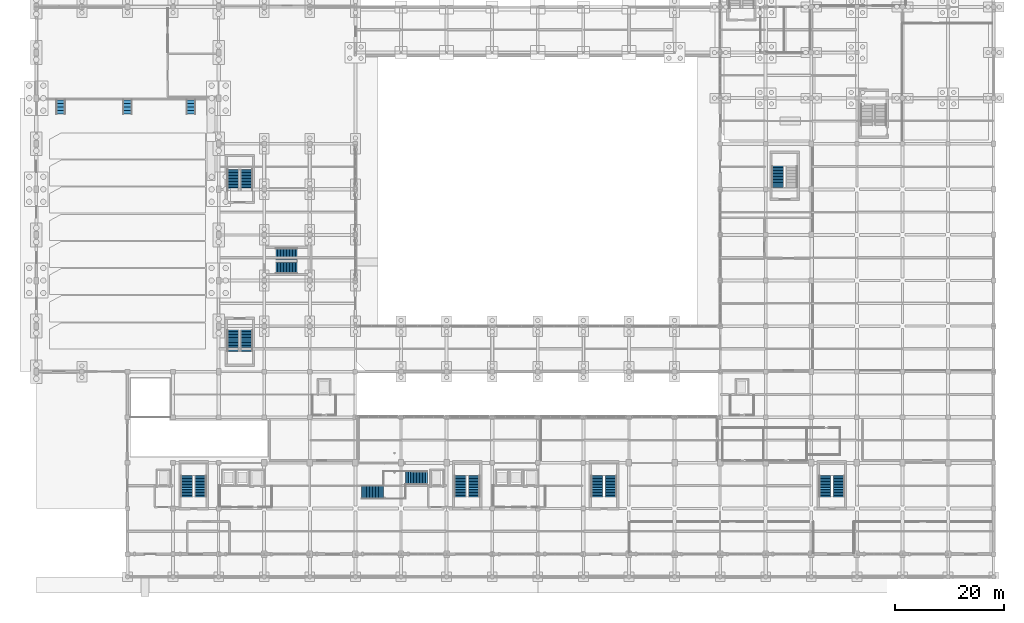
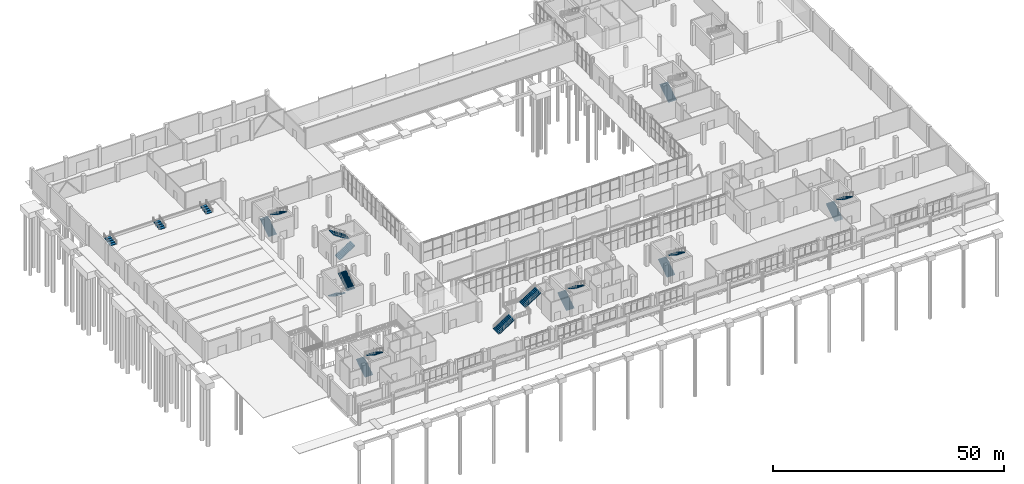
# One storey, part 74 of 82: 20 stair flights, 12 elements without a shape of their own.
"""IFC4 building model written with IfcOpenShell, lengths in metres."""

import ifcopenshell
import ifcopenshell.guid

model = None  # the IFC model being written
_history = None  # IfcOwnerHistory: only IFC2X3 demands one
_inside = {}  # id of a spatial element -> (the spatial element, [elements in it])
_under = {}  # id of a project, library or spatial element -> (it, [spatial elements below it])
_declared = {}  # id of a project -> (the project, [libraries it declares])
_typed = {}  # id of a type object -> (the type object, [elements of that type])
_made_of = {}  # id of a material, layer set ... -> (it, [elements and type objects made of it])


def new_model(schema):
    """Start an empty IFC model of exactly this schema.

    Asked for "IFC4X3", IfcOpenShell would pick the latest addendum, in which some entities
    have other attributes; the version numbers below select the first issue.
    IFC2X3 requires an IfcOwnerHistory on every rooted entity: one is made here for all.
    """
    global model, _history
    if schema == "IFC4X3":
        model = ifcopenshell.file(schema_version=(4, 3, 0, 0))
    else:
        model = ifcopenshell.file(schema=schema)
    _inside.clear()
    _under.clear()
    _declared.clear()
    _typed.clear()
    _made_of.clear()
    _history = None
    if model.schema == "IFC2X3":
        org = make("IfcOrganization", Name="unknown")
        user = make(
            "IfcPersonAndOrganization",
            ThePerson=make("IfcPerson", FamilyName="unknown"),
            TheOrganization=org,
        )
        app = make(
            "IfcApplication",
            ApplicationDeveloper=org,
            Version="unknown",
            ApplicationFullName="unknown",
            ApplicationIdentifier="unknown",
        )
        _history = make(
            "IfcOwnerHistory",
            OwningUser=user,
            OwningApplication=app,
            ChangeAction="ADDED",
            CreationDate=0,
        )
    return model


def make(cls, **values):
    """One entity of the class cls with the attributes given. An attribute that is None is left unset."""
    return model.create_entity(
        cls, **{name: value for name, value in values.items() if value is not None}
    )


def rooted(cls, **values):
    """An entity with a GlobalId (a new one), such as an element, a storey or a relation."""
    return make(cls, GlobalId=ifcopenshell.guid.new(), OwnerHistory=_history, **values)


def si_unit(unit_type, name, prefix=None):
    """IfcSIUnit, for example si_unit("LENGTHUNIT", "METRE", prefix="MILLI")."""
    return make("IfcSIUnit", UnitType=unit_type, Prefix=prefix, Name=name)


def derived_unit(unit_type, elements):
    """IfcDerivedUnit: a product of units, each with its exponent."""
    return make(
        "IfcDerivedUnit",
        Elements=[
            make("IfcDerivedUnitElement", Unit=unit, Exponent=power)
            for unit, power in elements
        ],
        UnitType=unit_type,
    )


def assignment(units):
    """IfcUnitAssignment: the units of a project."""
    return None if units is None else make("IfcUnitAssignment", Units=units)


def point(xyz):
    """IfcCartesianPoint."""
    return None if xyz is None else make("IfcCartesianPoint", Coordinates=xyz)


def direction(xyz):
    """IfcDirection."""
    return None if xyz is None else make("IfcDirection", DirectionRatios=xyz)


def frame(location, z_axis=None, x_axis=None):
    """IfcAxis2Placement3D, a coordinate frame: its origin and axes. An axis left out is left unset."""
    return make(
        "IfcAxis2Placement3D",
        Location=point(location),
        Axis=direction(z_axis),
        RefDirection=direction(x_axis),
    )


def origin():
    """The frame at (0, 0, 0) with its axes left unset."""
    return frame((0.0, 0.0, 0.0))


def place(relative_to, where):
    """IfcLocalPlacement: puts the frame where relative to a parent placement (None: the world)."""
    return make(
        "IfcLocalPlacement", PlacementRelTo=relative_to, RelativePlacement=where
    )


def context(
    kind, dimensions, precision=None, world=None, true_north=None, identifier=None
):
    """IfcGeometricRepresentationContext, for example the 3D "Model" context."""
    return make(
        "IfcGeometricRepresentationContext",
        ContextIdentifier=identifier,
        ContextType=kind,
        CoordinateSpaceDimension=dimensions,
        Precision=precision,
        WorldCoordinateSystem=world,
        TrueNorth=true_north,
    )


def subcontext(parent, identifier, kind, view, scale=None):
    """IfcGeometricRepresentationSubContext, for example "Body" below "Model"."""
    return make(
        "IfcGeometricRepresentationSubContext",
        ContextIdentifier=identifier,
        ContextType=kind,
        ParentContext=parent,
        TargetScale=scale,
        TargetView=view,
    )


def project(units=None, contexts=None):
    """IfcProject with its units and contexts."""
    return rooted(
        "IfcProject",
        Name="project",
        RepresentationContexts=contexts,
        UnitsInContext=assignment(units),
    )


def spatial(cls, under=None, at=None, **own):
    """A site, building, storey or space (cls), placed at a placement, below another one or the project."""
    s = rooted(cls, ObjectPlacement=at, **own)
    if under is not None:
        _under.setdefault(under.id(), (under, []))[1].append(s)
    return s


def polyline(points):
    """IfcPolyline through the points."""
    return make("IfcPolyline", Points=[point(p) for p in points])


def outline(outer, holes=None, kind="AREA"):
    """IfcArbitraryClosedProfileDef: a profile drawn as a closed curve; with holes, ...WithVoids."""
    if holes is None:
        return make("IfcArbitraryClosedProfileDef", ProfileType=kind, OuterCurve=outer)
    return make(
        "IfcArbitraryProfileDefWithVoids",
        ProfileType=kind,
        OuterCurve=outer,
        InnerCurves=holes,
    )


def extrude(swept, where, along, depth):
    """IfcExtrudedAreaSolid: the profile swept, set in the frame where, extruded along a direction by depth."""
    return make(
        "IfcExtrudedAreaSolid",
        SweptArea=swept,
        Position=where,
        ExtrudedDirection=direction(along),
        Depth=depth,
    )


def shape(context_of_items, identifier, shape_type, items):
    """IfcShapeRepresentation: the items that make up one representation, for example the "Body"."""
    return make(
        "IfcShapeRepresentation",
        ContextOfItems=context_of_items,
        RepresentationIdentifier=identifier,
        RepresentationType=shape_type,
        Items=items,
    )


def material(Name=None, Category=None):
    """IfcMaterial."""
    return make("IfcMaterial", Name=Name, Category=Category)


def made_of(thing, what):
    """Note that an element or type object is made of a material, layer set ...; save() writes the relation."""
    if what is not None:
        _made_of.setdefault(what.id(), (what, []))[1].append(thing)
    return thing


def type_object(cls, material=None, **own):
    """A type object (cls), such as IfcWallType, which elements share."""
    return made_of(rooted(cls, **own), material)


def element(
    cls,
    number,
    at=None,
    inside=None,
    cuts=None,
    type_object=None,
    material=None,
    context=None,
    identifier="Body",
    shape_type=None,
    held_by="IfcProductDefinitionShape",
    body=None,
    shapes=None,
    **own,
):
    """One element of the class cls, such as IfcWall. Its Tag is "e" and its number.

    at: its placement. inside: the storey or other place that contains it. cuts: it is an
    opening in that element (IfcRelVoidsElement). A single representation is given by context,
    identifier, shape_type and body (its items); several are given by shapes. held_by: the class
    of the entity that holds the representations. save() writes the other relations.
    """
    e = rooted(cls, Tag="e%d" % number, ObjectPlacement=at, **own)
    if body is not None:
        shapes = [shape(context, identifier, shape_type, body)]
    if shapes is not None:
        e.Representation = make(held_by, Representations=shapes)
    if inside is not None:
        _inside.setdefault(inside.id(), (inside, []))[1].append(e)
    if cuts is not None:
        rooted(
            "IfcRelVoidsElement", RelatingBuildingElement=cuts, RelatedOpeningElement=e
        )
    if type_object is not None:
        _typed.setdefault(type_object.id(), (type_object, []))[1].append(e)
    return made_of(e, material)


def aggregate(whole, parts):
    """IfcRelAggregates: a whole, such as a stair, and the parts it consists of."""
    return rooted("IfcRelAggregates", RelatingObject=whole, RelatedObjects=parts)


def save(model, path):
    """Write the relations noted so far, then the file.

    IfcRelAggregates (storeys below a building ...), IfcRelContainedInSpatialStructure (elements
    in a storey), IfcRelDefinesByType, IfcRelAssociatesMaterial and IfcRelDeclares: one each for
    every whole, place, type object, material and project.
    """
    for whole, parts in _under.values():
        aggregate(whole, parts)
    for where, things in _inside.values():
        rooted(
            "IfcRelContainedInSpatialStructure",
            RelatedElements=things,
            RelatingStructure=where,
        )
    for kind, things in _typed.values():
        rooted("IfcRelDefinesByType", RelatedObjects=things, RelatingType=kind)
    for what, things in _made_of.values():
        rooted("IfcRelAssociatesMaterial", RelatedObjects=things, RelatingMaterial=what)
    for by, libraries in _declared.values():
        rooted("IfcRelDeclares", RelatingContext=by, RelatedDefinitions=libraries)
    model.write(path)


model = new_model("IFC4")

# Units and contexts
model_context = context("Model", 3, precision=1e-05, world=origin(), true_north=direction((0.0, 1.0)))
body_context = subcontext(model_context, "Body", "Model", "MODEL_VIEW")
ifc_project = project(units=[si_unit("LENGTHUNIT", "METRE"), si_unit("AREAUNIT", "SQUARE_METRE"), si_unit("VOLUMEUNIT", "CUBIC_METRE"), si_unit("PLANEANGLEUNIT", "RADIAN"), si_unit("MASSUNIT", "GRAM", prefix="KILO"), derived_unit("THERMALTRANSMITTANCEUNIT", [(si_unit("POWERUNIT", "WATT"), 1), (si_unit("LENGTHUNIT", "METRE"), -2), (si_unit("THERMODYNAMICTEMPERATUREUNIT", "KELVIN"), -1)])], contexts=[model_context])

# Site, building, storey
site_placement = place(None, origin())
site = spatial("IfcSite", under=ifc_project, at=site_placement, CompositionType="ELEMENT")
building_placement = place(site_placement, origin())
building = spatial("IfcBuilding", under=site, at=building_placement, Name="Barrovel Congress Hotel", CompositionType="ELEMENT")
storey_placement = place(building_placement, origin())
storey = spatial("IfcBuildingStorey", under=building, at=storey_placement, Name="L00", CompositionType="ELEMENT", Elevation=0.0)

# Stair, stair flight
ifc_material = material(Name="Concrete C40", Category="concrete")
stair_type_1 = type_object("IfcStairType", Name="STR-SR-080", PredefinedType="STRAIGHT_RUN_STAIR", material=ifc_material)
stair_1_placement = place(storey_placement, origin())
stair_1 = element("IfcStair", 1, at=stair_1_placement, inside=storey, type_object=stair_type_1, Name="Congress Stage Stair 1", PredefinedType="STRAIGHT_RUN_STAIR")
stair_flight_type_1 = type_object("IfcStairFlightType", Name="SFL-180x080", PredefinedType="STRAIGHT", material=ifc_material)
stair_flight_1_placement = place(storey_placement, frame((4.5, 85.300048828125, 0.0), z_axis=(0.0, 0.0, 1.0), x_axis=(0.0, 1.0, 0.0)))
stair_flight_1 = element("IfcStairFlight", 2, at=stair_flight_1_placement, type_object=stair_flight_type_1, Name="STAIR:STG-1:F1", NumberOfRisers=5, NumberOfTreads=4, PredefinedType="STRAIGHT", RiserHeight=0.16, TreadLength=0.65, context=body_context, shape_type="SweptSolid", body=[
    extrude(outline(polyline([(0.0, 0.0), (0.0, 0.159912109375), (0.64990234375, 0.159912109375), (0.64990234375, 0.320068359375), (1.300048828125, 0.320068359375), (1.300048828125, 0.47998046875), (1.949951171875, 0.47998046875), (1.949951171875, 0.639892578125), (2.60009765625, 0.639892578125), (2.60009765625, 0.800048828125), (2.60009765625, 0.45458984375), (0.752685546875, 0.0), (0.0, 0.0)])), frame((0.0, 0.719970703125, 0.0), z_axis=(0.0, -1.0, 0.0), x_axis=(1.0, 0.0, 0.0)), (0.0, 0.0, 1.0), 1.43994140625),
])
aggregate(stair_1, [stair_flight_1])

stair_2_placement = place(storey_placement, origin())
stair_2 = element("IfcStair", 3, at=stair_2_placement, inside=storey, type_object=stair_type_1, Name="Congress Stage Stair 2", PredefinedType="STRAIGHT_RUN_STAIR")
stair_flight_2_placement = place(storey_placement, frame((16.800048828125, 85.300048828125, 0.0), z_axis=(0.0, 0.0, 1.0), x_axis=(0.0, 1.0, 0.0)))
stair_flight_2 = element("IfcStairFlight", 4, at=stair_flight_2_placement, type_object=stair_flight_type_1, Name="STAIR:STG-2:F1", NumberOfRisers=5, NumberOfTreads=4, PredefinedType="STRAIGHT", RiserHeight=0.16, TreadLength=0.65, context=body_context, shape_type="SweptSolid", body=[
    extrude(outline(polyline([(0.0, 0.0), (0.0, 0.159912109375), (0.64990234375, 0.159912109375), (0.64990234375, 0.320068359375), (1.300048828125, 0.320068359375), (1.300048828125, 0.47998046875), (1.949951171875, 0.47998046875), (1.949951171875, 0.639892578125), (2.60009765625, 0.639892578125), (2.60009765625, 0.800048828125), (2.60009765625, 0.45458984375), (0.752685546875, 0.0), (0.0, 0.0)])), frame((0.0, 0.719970703125, 0.0), z_axis=(0.0, -1.0, 0.0), x_axis=(1.0, 0.0, 0.0)), (0.0, 0.0, 1.0), 1.43994140625),
])
aggregate(stair_2, [stair_flight_2])

stair_3_placement = place(storey_placement, origin())
stair_3 = element("IfcStair", 5, at=stair_3_placement, inside=storey, type_object=stair_type_1, Name="Congress Stage Stair 3", PredefinedType="STRAIGHT_RUN_STAIR")
stair_flight_3_placement = place(storey_placement, frame((28.5, 85.300048828125, 0.0), z_axis=(0.0, 0.0, 1.0), x_axis=(0.0, 1.0, 0.0)))
stair_flight_3 = element("IfcStairFlight", 6, at=stair_flight_3_placement, type_object=stair_flight_type_1, Name="STAIR:STG-3:F1", NumberOfRisers=5, NumberOfTreads=4, PredefinedType="STRAIGHT", RiserHeight=0.16, TreadLength=0.65, context=body_context, shape_type="SweptSolid", body=[
    extrude(outline(polyline([(0.0, 0.0), (0.0, 0.159912109375), (0.64990234375, 0.159912109375), (0.64990234375, 0.320068359375), (1.300048828125, 0.320068359375), (1.300048828125, 0.47998046875), (1.949951171875, 0.47998046875), (1.949951171875, 0.639892578125), (2.60009765625, 0.639892578125), (2.60009765625, 0.800048828125), (2.60009765625, 0.45458984375), (0.752685546875, 0.0), (0.0, 0.0)])), frame((0.0, 0.719970703125, 0.0), z_axis=(0.0, -1.0, 0.0), x_axis=(1.0, 0.0, 0.0)), (0.0, 0.0, 1.0), 1.43994140625),
])
aggregate(stair_3, [stair_flight_3])

# Stair, stair flights
stair_type_2 = type_object("IfcStairType", Name="STR-2Q-540", PredefinedType="TWO_QUARTER_TURN_STAIR", material=ifc_material)
stair_4_placement = place(storey_placement, origin())
stair_4 = element("IfcStair", 7, at=stair_4_placement, inside=storey, type_object=stair_type_2, Name="Exit Stair XS-01 (L00)", PredefinedType="TWO_QUARTER_TURN_STAIR")
stair_flight_type_2 = type_object("IfcStairFlightType", Name="SFL-200x270", PredefinedType="STRAIGHT", material=ifc_material)
stair_flight_4_placement = place(storey_placement, frame((27.760009765625, 14.739990234375, 0.0), z_axis=(0.0, 0.0, 1.0), x_axis=(0.0, 1.0, 0.0)))
stair_flight_4 = element("IfcStairFlight", 8, at=stair_flight_4_placement, type_object=stair_flight_type_2, Name="STAIR:XS-01:L00:F1", NumberOfRisers=15, NumberOfTreads=14, PredefinedType="STRAIGHT", RiserHeight=0.18, TreadLength=0.28, context=body_context, shape_type="SweptSolid", body=[
    extrude(outline(polyline([(0.0, 0.0), (0.0, 0.179931640625), (0.280029296875, 0.179931640625), (0.280029296875, 0.360107421875), (0.56005859375, 0.360107421875), (0.56005859375, 0.5400390625), (0.840087890625, 0.5400390625), (0.840087890625, 0.719970703125), (1.1201171875, 0.719970703125), (1.1201171875, 0.89990234375), (1.39990234375, 0.89990234375), (1.39990234375, 1.080078125), (1.679931640625, 1.080078125), (1.679931640625, 1.260009765625), (1.9599609375, 1.260009765625), (1.9599609375, 1.43994140625), (2.239990234375, 1.43994140625), (2.239990234375, 1.6201171875), (2.52001953125, 1.6201171875), (2.52001953125, 1.800048828125), (2.800048828125, 1.800048828125), (2.800048828125, 1.97998046875), (3.080078125, 1.97998046875), (3.080078125, 2.159912109375), (3.360107421875, 2.159912109375), (3.360107421875, 2.340087890625), (3.639892578125, 2.340087890625), (3.639892578125, 2.52001953125), (3.919921875, 2.52001953125), (3.919921875, 2.699951171875), (3.919921875, 2.30615234375), (0.332763671875, 0.0), (0.0, 0.0)])), frame((0.0, 1.0, 0.0), z_axis=(0.0, -1.0, 0.0), x_axis=(1.0, 0.0, 0.0)), (0.0, 0.0, 1.0), 2.0),
])
stair_flight_5_placement = place(storey_placement, frame((30.239990234375, 18.659912109375, 2.699951171875), z_axis=(0.0, 0.0, 1.0), x_axis=(0.0, -1.0, 0.0)))
stair_flight_5 = element("IfcStairFlight", 9, at=stair_flight_5_placement, type_object=stair_flight_type_2, Name="STAIR:XS-01:L00:F2", NumberOfRisers=15, NumberOfTreads=14, PredefinedType="STRAIGHT", RiserHeight=0.18, TreadLength=0.28, context=body_context, shape_type="SweptSolid", body=[
    extrude(outline(polyline([(0.0, 0.0), (0.0, 0.179931640625), (0.280029296875, 0.179931640625), (0.280029296875, 0.360107421875), (0.56005859375, 0.360107421875), (0.56005859375, 0.5400390625), (0.840087890625, 0.5400390625), (0.840087890625, 0.719970703125), (1.1201171875, 0.719970703125), (1.1201171875, 0.89990234375), (1.39990234375, 0.89990234375), (1.39990234375, 1.080078125), (1.679931640625, 1.080078125), (1.679931640625, 1.260009765625), (1.9599609375, 1.260009765625), (1.9599609375, 1.43994140625), (2.239990234375, 1.43994140625), (2.239990234375, 1.6201171875), (2.52001953125, 1.6201171875), (2.52001953125, 1.800048828125), (2.800048828125, 1.800048828125), (2.800048828125, 1.97998046875), (3.080078125, 1.97998046875), (3.080078125, 2.159912109375), (3.360107421875, 2.159912109375), (3.360107421875, 2.340087890625), (3.639892578125, 2.340087890625), (3.639892578125, 2.52001953125), (3.919921875, 2.52001953125), (3.919921875, 2.699951171875), (3.919921875, 2.30615234375), (0.332763671875, 0.0), (0.0, 0.0)])), frame((0.0, 1.0, 0.0), z_axis=(0.0, -1.0, 0.0), x_axis=(1.0, 0.0, 0.0)), (0.0, 0.0, 1.0), 2.0),
])
aggregate(stair_4, [stair_flight_4, stair_flight_5])

stair_5_placement = place(storey_placement, origin())
stair_5 = element("IfcStair", 10, at=stair_5_placement, inside=storey, type_object=stair_type_2, Name="Exit Stair XS-02 (L00)", PredefinedType="TWO_QUARTER_TURN_STAIR")
stair_flight_6_placement = place(storey_placement, frame((78.159912109375, 14.739990234375, 0.0), z_axis=(0.0, 0.0, 1.0), x_axis=(0.0, 1.0, 0.0)))
stair_flight_6 = element("IfcStairFlight", 11, at=stair_flight_6_placement, type_object=stair_flight_type_2, Name="STAIR:XS-02:L00:F1", NumberOfRisers=15, NumberOfTreads=14, PredefinedType="STRAIGHT", RiserHeight=0.18, TreadLength=0.28, context=body_context, shape_type="SweptSolid", body=[
    extrude(outline(polyline([(0.0, 0.0), (0.0, 0.179931640625), (0.280029296875, 0.179931640625), (0.280029296875, 0.360107421875), (0.56005859375, 0.360107421875), (0.56005859375, 0.5400390625), (0.840087890625, 0.5400390625), (0.840087890625, 0.719970703125), (1.1201171875, 0.719970703125), (1.1201171875, 0.89990234375), (1.39990234375, 0.89990234375), (1.39990234375, 1.080078125), (1.679931640625, 1.080078125), (1.679931640625, 1.260009765625), (1.9599609375, 1.260009765625), (1.9599609375, 1.43994140625), (2.239990234375, 1.43994140625), (2.239990234375, 1.6201171875), (2.52001953125, 1.6201171875), (2.52001953125, 1.800048828125), (2.800048828125, 1.800048828125), (2.800048828125, 1.97998046875), (3.080078125, 1.97998046875), (3.080078125, 2.159912109375), (3.360107421875, 2.159912109375), (3.360107421875, 2.340087890625), (3.639892578125, 2.340087890625), (3.639892578125, 2.52001953125), (3.919921875, 2.52001953125), (3.919921875, 2.699951171875), (3.919921875, 2.30615234375), (0.332763671875, 0.0), (0.0, 0.0)])), frame((0.0, 1.0, 0.0), z_axis=(0.0, -1.0, 0.0), x_axis=(1.0, 0.0, 0.0)), (0.0, 0.0, 1.0), 2.0),
])
stair_flight_7_placement = place(storey_placement, frame((80.639892578125, 18.659912109375, 2.699951171875), z_axis=(0.0, 0.0, 1.0), x_axis=(0.0, -1.0, 0.0)))
stair_flight_7 = element("IfcStairFlight", 12, at=stair_flight_7_placement, type_object=stair_flight_type_2, Name="STAIR:XS-02:L00:F2", NumberOfRisers=15, NumberOfTreads=14, PredefinedType="STRAIGHT", RiserHeight=0.18, TreadLength=0.28, context=body_context, shape_type="SweptSolid", body=[
    extrude(outline(polyline([(0.0, 0.0), (0.0, 0.179931640625), (0.280029296875, 0.179931640625), (0.280029296875, 0.360107421875), (0.56005859375, 0.360107421875), (0.56005859375, 0.5400390625), (0.840087890625, 0.5400390625), (0.840087890625, 0.719970703125), (1.1201171875, 0.719970703125), (1.1201171875, 0.89990234375), (1.39990234375, 0.89990234375), (1.39990234375, 1.080078125), (1.679931640625, 1.080078125), (1.679931640625, 1.260009765625), (1.9599609375, 1.260009765625), (1.9599609375, 1.43994140625), (2.239990234375, 1.43994140625), (2.239990234375, 1.6201171875), (2.52001953125, 1.6201171875), (2.52001953125, 1.800048828125), (2.800048828125, 1.800048828125), (2.800048828125, 1.97998046875), (3.080078125, 1.97998046875), (3.080078125, 2.159912109375), (3.360107421875, 2.159912109375), (3.360107421875, 2.340087890625), (3.639892578125, 2.340087890625), (3.639892578125, 2.52001953125), (3.919921875, 2.52001953125), (3.919921875, 2.699951171875), (3.919921875, 2.30615234375), (0.332763671875, 0.0), (0.0, 0.0)])), frame((0.0, 1.0, 0.0), z_axis=(0.0, -1.0, 0.0), x_axis=(1.0, 0.0, 0.0)), (0.0, 0.0, 1.0), 2.0),
])
aggregate(stair_5, [stair_flight_6, stair_flight_7])

stair_6_placement = place(storey_placement, origin())
stair_6 = element("IfcStair", 13, at=stair_6_placement, inside=storey, type_object=stair_type_2, Name="Exit Stair XS-03 (L00)", PredefinedType="TWO_QUARTER_TURN_STAIR")
stair_flight_8_placement = place(storey_placement, frame((103.360107421875, 14.739990234375, 0.0), z_axis=(0.0, 0.0, 1.0), x_axis=(0.0, 1.0, 0.0)))
stair_flight_8 = element("IfcStairFlight", 14, at=stair_flight_8_placement, type_object=stair_flight_type_2, Name="STAIR:XS-03:L00:F1", NumberOfRisers=15, NumberOfTreads=14, PredefinedType="STRAIGHT", RiserHeight=0.18, TreadLength=0.28, context=body_context, shape_type="SweptSolid", body=[
    extrude(outline(polyline([(0.0, 0.0), (0.0, 0.179931640625), (0.280029296875, 0.179931640625), (0.280029296875, 0.360107421875), (0.56005859375, 0.360107421875), (0.56005859375, 0.5400390625), (0.840087890625, 0.5400390625), (0.840087890625, 0.719970703125), (1.1201171875, 0.719970703125), (1.1201171875, 0.89990234375), (1.39990234375, 0.89990234375), (1.39990234375, 1.080078125), (1.679931640625, 1.080078125), (1.679931640625, 1.260009765625), (1.9599609375, 1.260009765625), (1.9599609375, 1.43994140625), (2.239990234375, 1.43994140625), (2.239990234375, 1.6201171875), (2.52001953125, 1.6201171875), (2.52001953125, 1.800048828125), (2.800048828125, 1.800048828125), (2.800048828125, 1.97998046875), (3.080078125, 1.97998046875), (3.080078125, 2.159912109375), (3.360107421875, 2.159912109375), (3.360107421875, 2.340087890625), (3.639892578125, 2.340087890625), (3.639892578125, 2.52001953125), (3.919921875, 2.52001953125), (3.919921875, 2.699951171875), (3.919921875, 2.30615234375), (0.332763671875, 0.0), (0.0, 0.0)])), frame((0.0, 1.0, 0.0), z_axis=(0.0, -1.0, 0.0), x_axis=(1.0, 0.0, 0.0)), (0.0, 0.0, 1.0), 2.0),
])
stair_flight_9_placement = place(storey_placement, frame((105.840087890625, 18.659912109375, 2.699951171875), z_axis=(0.0, 0.0, 1.0), x_axis=(0.0, -1.0, 0.0)))
stair_flight_9 = element("IfcStairFlight", 15, at=stair_flight_9_placement, type_object=stair_flight_type_2, Name="STAIR:XS-03:L00:F2", NumberOfRisers=15, NumberOfTreads=14, PredefinedType="STRAIGHT", RiserHeight=0.18, TreadLength=0.28, context=body_context, shape_type="SweptSolid", body=[
    extrude(outline(polyline([(0.0, 0.0), (0.0, 0.179931640625), (0.280029296875, 0.179931640625), (0.280029296875, 0.360107421875), (0.56005859375, 0.360107421875), (0.56005859375, 0.5400390625), (0.840087890625, 0.5400390625), (0.840087890625, 0.719970703125), (1.1201171875, 0.719970703125), (1.1201171875, 0.89990234375), (1.39990234375, 0.89990234375), (1.39990234375, 1.080078125), (1.679931640625, 1.080078125), (1.679931640625, 1.260009765625), (1.9599609375, 1.260009765625), (1.9599609375, 1.43994140625), (2.239990234375, 1.43994140625), (2.239990234375, 1.6201171875), (2.52001953125, 1.6201171875), (2.52001953125, 1.800048828125), (2.800048828125, 1.800048828125), (2.800048828125, 1.97998046875), (3.080078125, 1.97998046875), (3.080078125, 2.159912109375), (3.360107421875, 2.159912109375), (3.360107421875, 2.340087890625), (3.639892578125, 2.340087890625), (3.639892578125, 2.52001953125), (3.919921875, 2.52001953125), (3.919921875, 2.699951171875), (3.919921875, 2.30615234375), (0.332763671875, 0.0), (0.0, 0.0)])), frame((0.0, 1.0, 0.0), z_axis=(0.0, -1.0, 0.0), x_axis=(1.0, 0.0, 0.0)), (0.0, 0.0, 1.0), 2.0),
])
aggregate(stair_6, [stair_flight_8, stair_flight_9])

stair_7_placement = place(storey_placement, origin())
stair_7 = element("IfcStair", 16, at=stair_7_placement, inside=storey, type_object=stair_type_2, Name="Exit Stair XS-04 (L00)", PredefinedType="TWO_QUARTER_TURN_STAIR")
stair_flight_10_placement = place(storey_placement, frame((145.360107421875, 14.739990234375, 0.0), z_axis=(0.0, 0.0, 1.0), x_axis=(0.0, 1.0, 0.0)))
stair_flight_10 = element("IfcStairFlight", 17, at=stair_flight_10_placement, type_object=stair_flight_type_2, Name="STAIR:XS-04:L00:F1", NumberOfRisers=15, NumberOfTreads=14, PredefinedType="STRAIGHT", RiserHeight=0.18, TreadLength=0.28, context=body_context, shape_type="SweptSolid", body=[
    extrude(outline(polyline([(0.0, 0.0), (0.0, 0.179931640625), (0.280029296875, 0.179931640625), (0.280029296875, 0.360107421875), (0.56005859375, 0.360107421875), (0.56005859375, 0.5400390625), (0.840087890625, 0.5400390625), (0.840087890625, 0.719970703125), (1.1201171875, 0.719970703125), (1.1201171875, 0.89990234375), (1.39990234375, 0.89990234375), (1.39990234375, 1.080078125), (1.679931640625, 1.080078125), (1.679931640625, 1.260009765625), (1.9599609375, 1.260009765625), (1.9599609375, 1.43994140625), (2.239990234375, 1.43994140625), (2.239990234375, 1.6201171875), (2.52001953125, 1.6201171875), (2.52001953125, 1.800048828125), (2.800048828125, 1.800048828125), (2.800048828125, 1.97998046875), (3.080078125, 1.97998046875), (3.080078125, 2.159912109375), (3.360107421875, 2.159912109375), (3.360107421875, 2.340087890625), (3.639892578125, 2.340087890625), (3.639892578125, 2.52001953125), (3.919921875, 2.52001953125), (3.919921875, 2.699951171875), (3.919921875, 2.30615234375), (0.332763671875, 0.0), (0.0, 0.0)])), frame((0.0, 1.0, 0.0), z_axis=(0.0, -1.0, 0.0), x_axis=(1.0, 0.0, 0.0)), (0.0, 0.0, 1.0), 2.0),
])
stair_flight_11_placement = place(storey_placement, frame((147.840087890625, 18.659912109375, 2.699951171875), z_axis=(0.0, 0.0, 1.0), x_axis=(0.0, -1.0, 0.0)))
stair_flight_11 = element("IfcStairFlight", 18, at=stair_flight_11_placement, type_object=stair_flight_type_2, Name="STAIR:XS-04:L00:F2", NumberOfRisers=15, NumberOfTreads=14, PredefinedType="STRAIGHT", RiserHeight=0.18, TreadLength=0.28, context=body_context, shape_type="SweptSolid", body=[
    extrude(outline(polyline([(0.0, 0.0), (0.0, 0.179931640625), (0.280029296875, 0.179931640625), (0.280029296875, 0.360107421875), (0.56005859375, 0.360107421875), (0.56005859375, 0.5400390625), (0.840087890625, 0.5400390625), (0.840087890625, 0.719970703125), (1.1201171875, 0.719970703125), (1.1201171875, 0.89990234375), (1.39990234375, 0.89990234375), (1.39990234375, 1.080078125), (1.679931640625, 1.080078125), (1.679931640625, 1.260009765625), (1.9599609375, 1.260009765625), (1.9599609375, 1.43994140625), (2.239990234375, 1.43994140625), (2.239990234375, 1.6201171875), (2.52001953125, 1.6201171875), (2.52001953125, 1.800048828125), (2.800048828125, 1.800048828125), (2.800048828125, 1.97998046875), (3.080078125, 1.97998046875), (3.080078125, 2.159912109375), (3.360107421875, 2.159912109375), (3.360107421875, 2.340087890625), (3.639892578125, 2.340087890625), (3.639892578125, 2.52001953125), (3.919921875, 2.52001953125), (3.919921875, 2.699951171875), (3.919921875, 2.30615234375), (0.332763671875, 0.0), (0.0, 0.0)])), frame((0.0, 1.0, 0.0), z_axis=(0.0, -1.0, 0.0), x_axis=(1.0, 0.0, 0.0)), (0.0, 0.0, 1.0), 2.0),
])
aggregate(stair_7, [stair_flight_10, stair_flight_11])

stair_8_placement = place(storey_placement, origin())
stair_8 = element("IfcStair", 19, at=stair_8_placement, inside=storey, type_object=stair_type_2, Name="Exit Stair XS-05 (L00)", PredefinedType="TWO_QUARTER_TURN_STAIR")
stair_flight_12_placement = place(storey_placement, frame((44.139892578125, 56.9599609375, 0.0), z_axis=(0.0, 0.0, 1.0), x_axis=(1.0, 0.0, 0.0)))
stair_flight_12 = element("IfcStairFlight", 20, at=stair_flight_12_placement, type_object=stair_flight_type_2, Name="STAIR:XS-05:L00:F1", NumberOfRisers=15, NumberOfTreads=14, PredefinedType="STRAIGHT", RiserHeight=0.18, TreadLength=0.28, context=body_context, shape_type="SweptSolid", body=[
    extrude(outline(polyline([(0.0, 0.0), (0.0, 0.179931640625), (0.280029296875, 0.179931640625), (0.280029296875, 0.360107421875), (0.56005859375, 0.360107421875), (0.56005859375, 0.5400390625), (0.840087890625, 0.5400390625), (0.840087890625, 0.719970703125), (1.1201171875, 0.719970703125), (1.1201171875, 0.89990234375), (1.39990234375, 0.89990234375), (1.39990234375, 1.080078125), (1.679931640625, 1.080078125), (1.679931640625, 1.260009765625), (1.9599609375, 1.260009765625), (1.9599609375, 1.43994140625), (2.239990234375, 1.43994140625), (2.239990234375, 1.6201171875), (2.52001953125, 1.6201171875), (2.52001953125, 1.800048828125), (2.800048828125, 1.800048828125), (2.800048828125, 1.97998046875), (3.080078125, 1.97998046875), (3.080078125, 2.159912109375), (3.360107421875, 2.159912109375), (3.360107421875, 2.340087890625), (3.639892578125, 2.340087890625), (3.639892578125, 2.52001953125), (3.919921875, 2.52001953125), (3.919921875, 2.699951171875), (3.919921875, 2.30615234375), (0.332763671875, 0.0), (0.0, 0.0)])), frame((0.0, 1.0, 0.0), z_axis=(0.0, -1.0, 0.0), x_axis=(1.0, 0.0, 0.0)), (0.0, 0.0, 1.0), 2.0),
])
stair_flight_13_placement = place(storey_placement, frame((48.06005859375, 59.43994140625, 2.699951171875), z_axis=(0.0, 0.0, 1.0), x_axis=(-1.0, 0.0, 0.0)))
stair_flight_13 = element("IfcStairFlight", 21, at=stair_flight_13_placement, type_object=stair_flight_type_2, Name="STAIR:XS-05:L00:F2", NumberOfRisers=15, NumberOfTreads=14, PredefinedType="STRAIGHT", RiserHeight=0.18, TreadLength=0.28, context=body_context, shape_type="SweptSolid", body=[
    extrude(outline(polyline([(0.0, 0.0), (0.0, 0.179931640625), (0.280029296875, 0.179931640625), (0.280029296875, 0.360107421875), (0.56005859375, 0.360107421875), (0.56005859375, 0.5400390625), (0.840087890625, 0.5400390625), (0.840087890625, 0.719970703125), (1.1201171875, 0.719970703125), (1.1201171875, 0.89990234375), (1.39990234375, 0.89990234375), (1.39990234375, 1.080078125), (1.679931640625, 1.080078125), (1.679931640625, 1.260009765625), (1.9599609375, 1.260009765625), (1.9599609375, 1.43994140625), (2.239990234375, 1.43994140625), (2.239990234375, 1.6201171875), (2.52001953125, 1.6201171875), (2.52001953125, 1.800048828125), (2.800048828125, 1.800048828125), (2.800048828125, 1.97998046875), (3.080078125, 1.97998046875), (3.080078125, 2.159912109375), (3.360107421875, 2.159912109375), (3.360107421875, 2.340087890625), (3.639892578125, 2.340087890625), (3.639892578125, 2.52001953125), (3.919921875, 2.52001953125), (3.919921875, 2.699951171875), (3.919921875, 2.30615234375), (0.332763671875, 0.0), (0.0, 0.0)])), frame((0.0, 1.0, 0.0), z_axis=(0.0, -1.0, 0.0), x_axis=(1.0, 0.0, 0.0)), (0.0, 0.0, 1.0), 2.0),
])
aggregate(stair_8, [stair_flight_12, stair_flight_13])

stair_9_placement = place(storey_placement, origin())
stair_9 = element("IfcStair", 22, at=stair_9_placement, inside=storey, type_object=stair_type_2, Name="Exit Stair XS-07 (L00)", PredefinedType="TWO_QUARTER_TURN_STAIR")
stair_flight_14_placement = place(storey_placement, frame((36.260009765625, 71.179931640625, 0.0), z_axis=(0.0, 0.0, 1.0), x_axis=(0.0, 1.0, 0.0)))
stair_flight_14 = element("IfcStairFlight", 23, at=stair_flight_14_placement, type_object=stair_flight_type_2, Name="STAIR:XS-07:L00:F1", NumberOfRisers=15, NumberOfTreads=14, PredefinedType="STRAIGHT", RiserHeight=0.18, TreadLength=0.28, context=body_context, shape_type="SweptSolid", body=[
    extrude(outline(polyline([(0.0, 0.0), (0.0, 0.179931640625), (0.280029296875, 0.179931640625), (0.280029296875, 0.360107421875), (0.56005859375, 0.360107421875), (0.56005859375, 0.5400390625), (0.840087890625, 0.5400390625), (0.840087890625, 0.719970703125), (1.1201171875, 0.719970703125), (1.1201171875, 0.89990234375), (1.39990234375, 0.89990234375), (1.39990234375, 1.080078125), (1.679931640625, 1.080078125), (1.679931640625, 1.260009765625), (1.9599609375, 1.260009765625), (1.9599609375, 1.43994140625), (2.239990234375, 1.43994140625), (2.239990234375, 1.6201171875), (2.52001953125, 1.6201171875), (2.52001953125, 1.800048828125), (2.800048828125, 1.800048828125), (2.800048828125, 1.97998046875), (3.080078125, 1.97998046875), (3.080078125, 2.159912109375), (3.360107421875, 2.159912109375), (3.360107421875, 2.340087890625), (3.639892578125, 2.340087890625), (3.639892578125, 2.52001953125), (3.919921875, 2.52001953125), (3.919921875, 2.699951171875), (3.919921875, 2.30615234375), (0.332763671875, 0.0), (0.0, 0.0)])), frame((0.0, 1.0, 0.0), z_axis=(0.0, -1.0, 0.0), x_axis=(1.0, 0.0, 0.0)), (0.0, 0.0, 1.0), 2.0),
])
stair_flight_15_placement = place(storey_placement, frame((38.739990234375, 75.10009765625, 2.699951171875), z_axis=(0.0, 0.0, 1.0), x_axis=(0.0, -1.0, 0.0)))
stair_flight_15 = element("IfcStairFlight", 24, at=stair_flight_15_placement, type_object=stair_flight_type_2, Name="STAIR:XS-07:L00:F2", NumberOfRisers=15, NumberOfTreads=14, PredefinedType="STRAIGHT", RiserHeight=0.18, TreadLength=0.28, context=body_context, shape_type="SweptSolid", body=[
    extrude(outline(polyline([(0.0, 0.0), (0.0, 0.179931640625), (0.280029296875, 0.179931640625), (0.280029296875, 0.360107421875), (0.56005859375, 0.360107421875), (0.56005859375, 0.5400390625), (0.840087890625, 0.5400390625), (0.840087890625, 0.719970703125), (1.1201171875, 0.719970703125), (1.1201171875, 0.89990234375), (1.39990234375, 0.89990234375), (1.39990234375, 1.080078125), (1.679931640625, 1.080078125), (1.679931640625, 1.260009765625), (1.9599609375, 1.260009765625), (1.9599609375, 1.43994140625), (2.239990234375, 1.43994140625), (2.239990234375, 1.6201171875), (2.52001953125, 1.6201171875), (2.52001953125, 1.800048828125), (2.800048828125, 1.800048828125), (2.800048828125, 1.97998046875), (3.080078125, 1.97998046875), (3.080078125, 2.159912109375), (3.360107421875, 2.159912109375), (3.360107421875, 2.340087890625), (3.639892578125, 2.340087890625), (3.639892578125, 2.52001953125), (3.919921875, 2.52001953125), (3.919921875, 2.699951171875), (3.919921875, 2.30615234375), (0.332763671875, 0.0), (0.0, 0.0)])), frame((0.0, 1.0, 0.0), z_axis=(0.0, -1.0, 0.0), x_axis=(1.0, 0.0, 0.0)), (0.0, 0.0, 1.0), 2.0),
])
aggregate(stair_9, [stair_flight_14, stair_flight_15])

stair_10_placement = place(storey_placement, origin())
stair_10 = element("IfcStair", 25, at=stair_10_placement, inside=storey, type_object=stair_type_2, Name="Exit Stair XS-08 (L00)", PredefinedType="TWO_QUARTER_TURN_STAIR")
stair_flight_16_placement = place(storey_placement, frame((36.260009765625, 45.4599609375, 0.0), z_axis=(0.0, 0.0, 1.0), x_axis=(0.0, -1.0, 0.0)))
stair_flight_16 = element("IfcStairFlight", 26, at=stair_flight_16_placement, type_object=stair_flight_type_2, Name="STAIR:XS-08:L00:F1", NumberOfRisers=15, NumberOfTreads=14, PredefinedType="STRAIGHT", RiserHeight=0.18, TreadLength=0.28, context=body_context, shape_type="SweptSolid", body=[
    extrude(outline(polyline([(0.0, 0.0), (0.0, 0.179931640625), (0.280029296875, 0.179931640625), (0.280029296875, 0.360107421875), (0.56005859375, 0.360107421875), (0.56005859375, 0.5400390625), (0.840087890625, 0.5400390625), (0.840087890625, 0.719970703125), (1.1201171875, 0.719970703125), (1.1201171875, 0.89990234375), (1.39990234375, 0.89990234375), (1.39990234375, 1.080078125), (1.679931640625, 1.080078125), (1.679931640625, 1.260009765625), (1.9599609375, 1.260009765625), (1.9599609375, 1.43994140625), (2.239990234375, 1.43994140625), (2.239990234375, 1.6201171875), (2.52001953125, 1.6201171875), (2.52001953125, 1.800048828125), (2.800048828125, 1.800048828125), (2.800048828125, 1.97998046875), (3.080078125, 1.97998046875), (3.080078125, 2.159912109375), (3.360107421875, 2.159912109375), (3.360107421875, 2.340087890625), (3.639892578125, 2.340087890625), (3.639892578125, 2.52001953125), (3.919921875, 2.52001953125), (3.919921875, 2.699951171875), (3.919921875, 2.30615234375), (0.332763671875, 0.0), (0.0, 0.0)])), frame((0.0, 1.0, 0.0), z_axis=(0.0, -1.0, 0.0), x_axis=(1.0, 0.0, 0.0)), (0.0, 0.0, 1.0), 2.0),
])
stair_flight_17_placement = place(storey_placement, frame((38.739990234375, 41.5400390625, 2.699951171875), z_axis=(0.0, 0.0, 1.0), x_axis=(0.0, 1.0, 0.0)))
stair_flight_17 = element("IfcStairFlight", 27, at=stair_flight_17_placement, type_object=stair_flight_type_2, Name="STAIR:XS-08:L00:F2", NumberOfRisers=15, NumberOfTreads=14, PredefinedType="STRAIGHT", RiserHeight=0.18, TreadLength=0.28, context=body_context, shape_type="SweptSolid", body=[
    extrude(outline(polyline([(0.0, 0.0), (0.0, 0.179931640625), (0.280029296875, 0.179931640625), (0.280029296875, 0.360107421875), (0.56005859375, 0.360107421875), (0.56005859375, 0.5400390625), (0.840087890625, 0.5400390625), (0.840087890625, 0.719970703125), (1.1201171875, 0.719970703125), (1.1201171875, 0.89990234375), (1.39990234375, 0.89990234375), (1.39990234375, 1.080078125), (1.679931640625, 1.080078125), (1.679931640625, 1.260009765625), (1.9599609375, 1.260009765625), (1.9599609375, 1.43994140625), (2.239990234375, 1.43994140625), (2.239990234375, 1.6201171875), (2.52001953125, 1.6201171875), (2.52001953125, 1.800048828125), (2.800048828125, 1.800048828125), (2.800048828125, 1.97998046875), (3.080078125, 1.97998046875), (3.080078125, 2.159912109375), (3.360107421875, 2.159912109375), (3.360107421875, 2.340087890625), (3.639892578125, 2.340087890625), (3.639892578125, 2.52001953125), (3.919921875, 2.52001953125), (3.919921875, 2.699951171875), (3.919921875, 2.30615234375), (0.332763671875, 0.0), (0.0, 0.0)])), frame((0.0, 1.0, 0.0), z_axis=(0.0, -1.0, 0.0), x_axis=(1.0, 0.0, 0.0)), (0.0, 0.0, 1.0), 2.0),
])
aggregate(stair_10, [stair_flight_16, stair_flight_17])

# Stair, stair flight
stair_11_placement = place(storey_placement, origin())
stair_11 = element("IfcStair", 28, at=stair_11_placement, inside=storey, type_object=stair_type_2, Name="Exit Stair XS-09 (L00)", PredefinedType="TWO_QUARTER_TURN_STAIR")
stair_flight_18_placement = place(storey_placement, frame((136.659912109375, 71.780029296875, 0.0), z_axis=(0.0, 0.0, 1.0), x_axis=(0.0, 1.0, 0.0)))
stair_flight_18 = element("IfcStairFlight", 29, at=stair_flight_18_placement, type_object=stair_flight_type_2, Name="STAIR:XS-09:L00:F1", NumberOfRisers=15, NumberOfTreads=14, PredefinedType="STRAIGHT", RiserHeight=0.18, TreadLength=0.28, context=body_context, shape_type="SweptSolid", body=[
    extrude(outline(polyline([(0.0, 0.0), (0.0, 0.179931640625), (0.280029296875, 0.179931640625), (0.280029296875, 0.360107421875), (0.56005859375, 0.360107421875), (0.56005859375, 0.5400390625), (0.840087890625, 0.5400390625), (0.840087890625, 0.719970703125), (1.1201171875, 0.719970703125), (1.1201171875, 0.89990234375), (1.39990234375, 0.89990234375), (1.39990234375, 1.080078125), (1.679931640625, 1.080078125), (1.679931640625, 1.260009765625), (1.9599609375, 1.260009765625), (1.9599609375, 1.43994140625), (2.239990234375, 1.43994140625), (2.239990234375, 1.6201171875), (2.52001953125, 1.6201171875), (2.52001953125, 1.800048828125), (2.800048828125, 1.800048828125), (2.800048828125, 1.97998046875), (3.080078125, 1.97998046875), (3.080078125, 2.159912109375), (3.360107421875, 2.159912109375), (3.360107421875, 2.340087890625), (3.639892578125, 2.340087890625), (3.639892578125, 2.52001953125), (3.919921875, 2.52001953125), (3.919921875, 2.699951171875), (3.919921875, 2.30615234375), (0.332763671875, 0.0), (0.0, 0.0)])), frame((0.0, 1.0, 0.0), z_axis=(0.0, -1.0, 0.0), x_axis=(1.0, 0.0, 0.0)), (0.0, 0.0, 1.0), 2.0),
])
aggregate(stair_11, [stair_flight_18])

# Stair, stair flights
stair_type_3 = type_object("IfcStairType", Name="STR-SR-540", PredefinedType="STRAIGHT_RUN_STAIR", material=ifc_material)
stair_12_placement = place(storey_placement, origin())
stair_12 = element("IfcStair", 30, at=stair_12_placement, inside=storey, type_object=stair_type_3, Name="Atrium Grand Stair L00-L01", PredefinedType="STRAIGHT_RUN_STAIR")
stair_flight_type_3 = type_object("IfcStairFlightType", Name="SFL-240x270", PredefinedType="STRAIGHT", material=ifc_material)
stair_flight_19_placement = place(storey_placement, frame((59.949951171875, 15.60009765625, 0.0), z_axis=(0.0, 0.0, 1.0), x_axis=(1.0, 0.0, 0.0)))
stair_flight_19 = element("IfcStairFlight", 31, at=stair_flight_19_placement, type_object=stair_flight_type_3, Name="STAIR:ATR-L00:F1", NumberOfRisers=15, NumberOfTreads=14, PredefinedType="STRAIGHT", RiserHeight=0.18, TreadLength=0.285, context=body_context, shape_type="SweptSolid", body=[
    extrude(outline(polyline([(0.0, 0.0), (0.0, 0.179931640625), (0.284912109375, 0.179931640625), (0.284912109375, 0.360107421875), (0.570068359375, 0.360107421875), (0.570068359375, 0.5400390625), (0.85498046875, 0.5400390625), (0.85498046875, 0.719970703125), (1.139892578125, 0.719970703125), (1.139892578125, 0.89990234375), (1.425048828125, 0.89990234375), (1.425048828125, 1.080078125), (1.7099609375, 1.080078125), (1.7099609375, 1.260009765625), (1.9951171875, 1.260009765625), (1.9951171875, 1.43994140625), (2.280029296875, 1.43994140625), (2.280029296875, 1.6201171875), (2.56494140625, 1.6201171875), (2.56494140625, 1.800048828125), (2.85009765625, 1.800048828125), (2.85009765625, 1.97998046875), (3.135009765625, 1.97998046875), (3.135009765625, 2.159912109375), (3.419921875, 2.159912109375), (3.419921875, 2.340087890625), (3.705078125, 2.340087890625), (3.705078125, 2.52001953125), (3.989990234375, 2.52001953125), (3.989990234375, 2.699951171875), (3.989990234375, 2.283447265625), (0.37451171875, 0.0), (0.0, 0.0)])), frame((0.0, 1.199951171875, 0.0), z_axis=(0.0, -1.0, 0.0), x_axis=(1.0, 0.0, 0.0)), (0.0, 0.0, 1.0), 2.39990234375),
])
stair_flight_20_placement = place(storey_placement, frame((68.050048828125, 18.199951171875, 2.699951171875), z_axis=(0.0, 0.0, 1.0), x_axis=(1.0, 0.0, 0.0)))
stair_flight_20 = element("IfcStairFlight", 32, at=stair_flight_20_placement, type_object=stair_flight_type_3, Name="STAIR:ATR-L00:F2", NumberOfRisers=15, NumberOfTreads=14, PredefinedType="STRAIGHT", RiserHeight=0.18, TreadLength=0.285, context=body_context, shape_type="SweptSolid", body=[
    extrude(outline(polyline([(0.0, 0.0), (0.0, 0.179931640625), (0.284912109375, 0.179931640625), (0.284912109375, 0.360107421875), (0.570068359375, 0.360107421875), (0.570068359375, 0.5400390625), (0.85498046875, 0.5400390625), (0.85498046875, 0.719970703125), (1.139892578125, 0.719970703125), (1.139892578125, 0.89990234375), (1.425048828125, 0.89990234375), (1.425048828125, 1.080078125), (1.7099609375, 1.080078125), (1.7099609375, 1.260009765625), (1.9951171875, 1.260009765625), (1.9951171875, 1.43994140625), (2.280029296875, 1.43994140625), (2.280029296875, 1.6201171875), (2.56494140625, 1.6201171875), (2.56494140625, 1.800048828125), (2.85009765625, 1.800048828125), (2.85009765625, 1.97998046875), (3.135009765625, 1.97998046875), (3.135009765625, 2.159912109375), (3.419921875, 2.159912109375), (3.419921875, 2.340087890625), (3.705078125, 2.340087890625), (3.705078125, 2.52001953125), (3.989990234375, 2.52001953125), (3.989990234375, 2.699951171875), (3.989990234375, 2.283447265625), (0.37451171875, 0.0), (0.0, 0.0)])), frame((0.0, 1.199951171875, 0.0), z_axis=(0.0, -1.0, 0.0), x_axis=(1.0, 0.0, 0.0)), (0.0, 0.0, 1.0), 2.39990234375),
])
aggregate(stair_12, [stair_flight_19, stair_flight_20])

save(model, "model.ifc")
